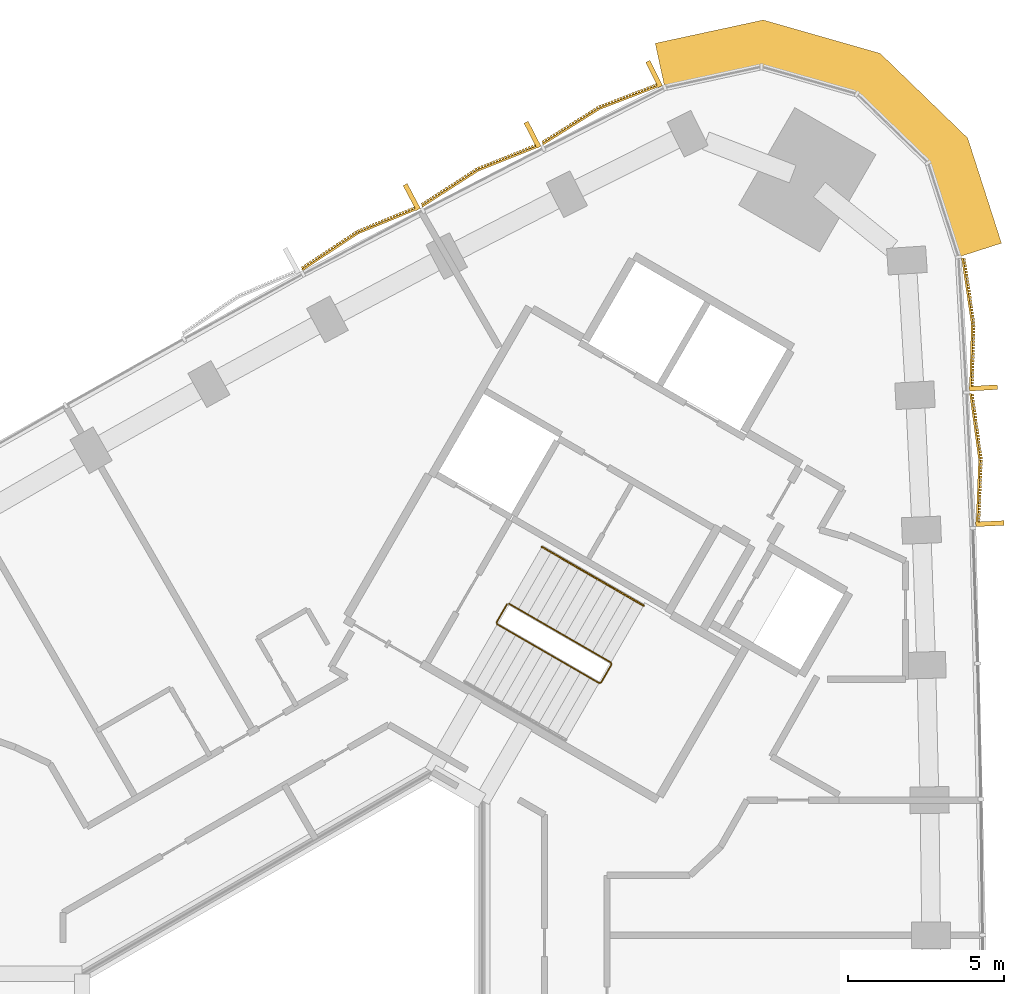
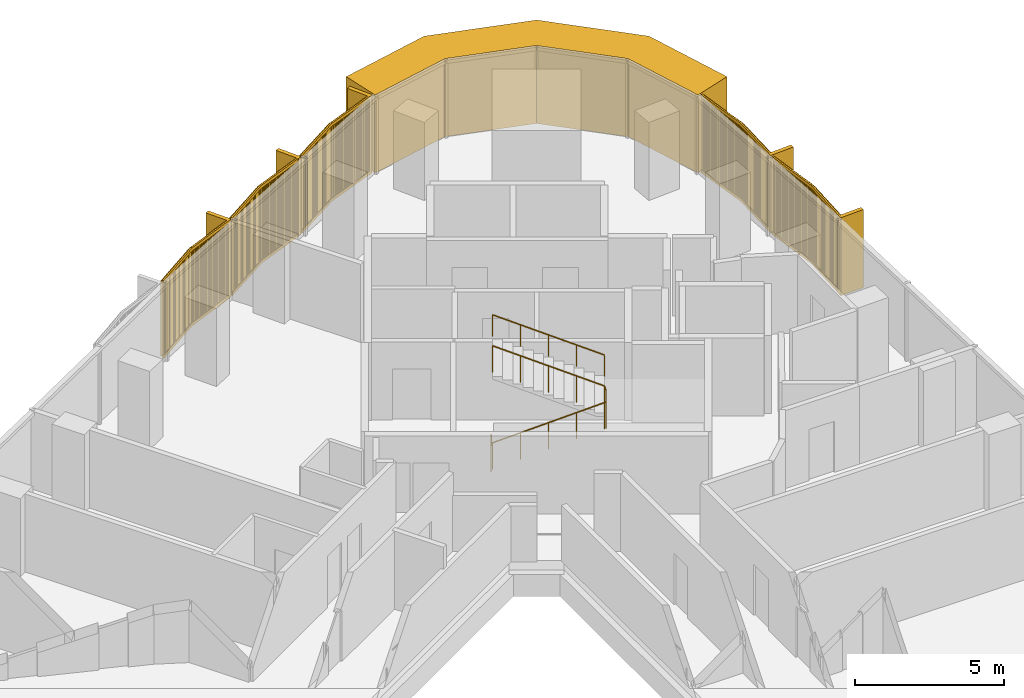
# One storey, part 15 of 15: 6 coverings, 2 railings.
"""IFC4 building model written with IfcOpenShell, lengths in metres."""

from ifc_helpers import new_model, si_unit, direction, frame, frame_2d, origin, origin_2d, place, context, subcontext, project, spatial, polyline, rectangle, circle, outline, extrude, source, transform, mapped, material, layer, layer_set, type_object, element, save


model = new_model("IFC4")

# Units and contexts
model_context = context("Model", 3, precision=1e-05, world=origin(), true_north=direction((0.0, 1.0)))
body_context = subcontext(model_context, "Body", "Model", "MODEL_VIEW")
ifc_project = project(units=[si_unit("LENGTHUNIT", "METRE"), si_unit("AREAUNIT", "SQUARE_METRE"), si_unit("VOLUMEUNIT", "CUBIC_METRE"), si_unit("PLANEANGLEUNIT", "RADIAN"), si_unit("MASSUNIT", "GRAM", prefix="KILO")], contexts=[model_context])

# Site, building, storey
site_placement = place(None, origin())
site = spatial("IfcSite", under=ifc_project, at=site_placement, CompositionType="ELEMENT")
building_placement = place(site_placement, origin())
building = spatial("IfcBuilding", under=site, at=building_placement, Name="Tamra Quay Hotel Tower", CompositionType="ELEMENT")
storey_placement = place(building_placement, frame((0.0, 0.0, 136.0)))
storey = spatial("IfcBuildingStorey", under=building, at=storey_placement, Name="L33", CompositionType="ELEMENT", Elevation=136.0)

# Covering
ifc_material_1 = material(Name="Precast concrete M60 terracotta-coloured", Category="masonry")
ifc_layer = layer(ifc_material_1, 1.449951171875)
ifc_layer_set = layer_set([ifc_layer], Name="CORNER PIER PANEL")
covering_type_1 = type_object("IfcCoveringType", Name="CORNER PIER PANEL", PredefinedType="CLADDING", material=ifc_layer_set)
covering_placement = place(storey_placement, origin())
element("IfcCovering", 1, at=covering_placement, inside=storey, type_object=covering_type_1, Name="Corner pier L33.east", PredefinedType="CLADDING", context=body_context, shape_type="SweptSolid", body=[
    extrude(outline(polyline([(20.0419921875, 23.864990234375), (21.422607421875, 24.30859375), (20.341552734375, 27.6728515625), (17.54150390625, 30.3828125), (13.79443359375, 31.452880859375), (10.340576171875, 30.706787109375), (10.646728515625, 29.28955078125), (13.74560546875, 29.958740234375), (16.794189453125, 29.088134765625), (19.072265625, 26.883544921875), (20.0419921875, 23.864990234375)])), origin(), (0.0, 0.0, 1.0), 3.199951171875),
])

# Railings
ifc_material_2 = material(Name="Stair guard 1100")
railing_type_1 = type_object("IfcRailingType", Name="Stair guard 1100", PredefinedType="GUARDRAIL", material=ifc_material_2)
railing_1_placement = place(storey_placement, frame((5.595458984375, 12.751953125, 0.0)))
element("IfcRailing", 2, at=railing_1_placement, inside=storey, type_object=railing_type_1, Name="GR", PredefinedType="GUARDRAIL", context=body_context, shape_type="SweptSolid", body=[
    extrude(circle(Radius=0.02392578125, at=origin_2d()), frame((0.0, 0.0, 1.076171875), z_axis=(-0.499765215335, -0.866160914346, 0.0), x_axis=(0.866160914346, -0.499765215335, 0.0)), (0.0, 0.0, 1.0), 0.658935546875),
    extrude(circle(Radius=0.02392578125, at=origin_2d()), frame((-0.329345703125, -0.57080078125, 1.076171875), z_axis=(0.110525977783, -0.411156637351, 0.904839338113), x_axis=(0.965715946433, 0.259601060869, 0.0)), (0.0, 0.0, 1.0), 0.165771484375),
    extrude(circle(Radius=0.02392578125, at=origin_2d()), frame((-0.31103515625, -0.638916015625, 1.22607421875), z_axis=(0.79305953016, -0.457922937641, 0.401700342053), x_axis=(0.500040788363, 0.866001853331, 0.0)), (0.0, 0.0, 1.0), 4.10791015625),
    extrude(circle(Radius=0.02392578125, at=origin_2d()), frame((2.94677734375, -2.52001953125, 2.8759765625), z_axis=(0.965948051503, 0.258736085224, 0.0), x_axis=(-0.258736085224, 0.965948051503, 0.0)), (0.0, 0.0, 1.0), 0.07080078125),
    extrude(circle(Radius=0.02392578125, at=origin_2d()), frame((3.01513671875, -2.501708984375, 2.8759765625), z_axis=(0.500043078269, 0.866000531106, 0.0), x_axis=(-0.866000531106, 0.500043078269, 0.0)), (0.0, 0.0, 1.0), 0.6591796875),
    extrude(circle(Radius=0.02392578125, at=origin_2d()), frame((3.3447265625, -1.930908203125, 2.8759765625), z_axis=(-0.110525977783, 0.411156637351, 0.904839338113), x_axis=(-0.965715946433, -0.259601060869, 0.0)), (0.0, 0.0, 1.0), 0.165771484375),
    extrude(circle(Radius=0.02392578125, at=origin_2d()), frame((3.326416015625, -1.86279296875, 3.02587890625), z_axis=(-0.793081581205, 0.457901355053, 0.401681409319), x_axis=(-0.500012686397, -0.866018079166, 0.0)), (0.0, 0.0, 1.0), 4.108154296875),
    extrude(circle(Radius=0.02099609375, at=origin_2d()), origin(), (0.0, 0.0, 1.0), 1.052001953125),
    extrude(circle(Radius=0.02099609375, at=origin_2d()), frame((-0.329345703125, -0.57080078125, 0.0)), (0.0, 0.0, 1.0), 1.052001953125),
    extrude(circle(Radius=0.02099609375, at=origin_2d()), frame((-0.31103515625, -0.638916015625, 0.14990234375)), (0.0, 0.0, 1.0), 1.052001953125),
    extrude(circle(Radius=0.02099609375, at=origin_2d()), frame((0.50341796875, -1.109130859375, 0.5625)), (0.0, 0.0, 1.0), 1.052001953125),
    extrude(circle(Radius=0.02099609375, at=origin_2d()), frame((1.31787109375, -1.57958984375, 0.97509765625)), (0.0, 0.0, 1.0), 1.052001953125),
    extrude(circle(Radius=0.02099609375, at=origin_2d()), frame((2.13232421875, -2.0498046875, 1.387451171875)), (0.0, 0.0, 1.0), 1.052001953125),
    extrude(circle(Radius=0.02099609375, at=origin_2d()), frame((2.94677734375, -2.52001953125, 1.800048828125)), (0.0, 0.0, 1.0), 1.052001953125),
    extrude(circle(Radius=0.02099609375, at=origin_2d()), frame((3.01513671875, -2.501708984375, 1.800048828125)), (0.0, 0.0, 1.0), 1.052001953125),
    extrude(circle(Radius=0.02099609375, at=origin_2d()), frame((3.3447265625, -1.930908203125, 1.800048828125)), (0.0, 0.0, 1.0), 1.052001953125),
    extrude(circle(Radius=0.02099609375, at=origin_2d()), frame((3.326416015625, -1.86279296875, 1.949951171875)), (0.0, 0.0, 1.0), 1.052001953125),
    extrude(circle(Radius=0.02099609375, at=origin_2d()), frame((2.511962890625, -1.392578125, 2.362548828125)), (0.0, 0.0, 1.0), 1.052001953125),
    extrude(circle(Radius=0.02099609375, at=origin_2d()), frame((1.697265625, -0.92236328125, 2.77490234375)), (0.0, 0.0, 1.0), 1.052001953125),
    extrude(circle(Radius=0.02099609375, at=origin_2d()), frame((0.8828125, -0.451904296875, 3.1875)), (0.0, 0.0, 1.0), 1.052001953125),
    extrude(circle(Radius=0.02099609375, at=origin_2d()), frame((0.068359375, 0.018310546875, 3.60009765625)), (0.0, 0.0, 1.0), 1.052001953125),
])
ifc_material_3 = material(Name="Stair handrail 900")
railing_type_2 = type_object("IfcRailingType", Name="Stair handrail 900", PredefinedType="HANDRAIL", material=ifc_material_3)
railing_2_placement = place(storey_placement, frame((9.971923828125, 12.7080078125, 1.949951171875)))
element("IfcRailing", 3, at=railing_2_placement, inside=storey, type_object=railing_type_2, Name="HR", PredefinedType="HANDRAIL", context=body_context, shape_type="SweptSolid", body=[
    extrude(circle(Radius=0.02392578125, at=origin_2d()), frame((0.0, 0.0, 0.8759765625), z_axis=(-0.793103162556, 0.457854384738, 0.401692339881), x_axis=(-0.499964013922, -0.86604617936, 0.0)), (0.0, 0.0, 1.0), 4.10791015625),
    extrude(circle(Radius=0.02099609375, at=origin_2d()), origin(), (0.0, 0.0, 1.0), 0.851806640625),
    extrude(circle(Radius=0.02099609375, at=origin_2d()), frame((-0.814453125, 0.47021484375, 0.41259765625)), (0.0, 0.0, 1.0), 0.851806640625),
    extrude(circle(Radius=0.02099609375, at=origin_2d()), frame((-1.62890625, 0.9404296875, 0.8251953125)), (0.0, 0.0, 1.0), 0.851806640625),
    extrude(circle(Radius=0.02099609375, at=origin_2d()), frame((-2.443603515625, 1.41064453125, 1.237548828125)), (0.0, 0.0, 1.0), 0.851806640625),
    extrude(circle(Radius=0.02099609375, at=origin_2d()), frame((-3.258056640625, 1.880859375, 1.650146484375)), (0.0, 0.0, 1.0), 0.851806640625),
])

# Coverings
ifc_material_4 = material(Name="Terracotta baguette extruded", Category="masonry")
covering_type_2 = type_object("IfcCoveringType", Name="BAGUETTE SCREEN E-V H3200", PredefinedType="USERDEFINED", material=ifc_material_4)
shared_shape_1 = source(origin(), body_context, "Body", "SweptSolid", [
    extrude(rectangle(XDim=2.140625, YDim=0.06005859375, at=frame_2d((1.0703125, 0.030029296875))), frame((-2.1376953125, -0.057861328125, -0.1201171875), z_axis=(0.0, 0.0, 1.0), x_axis=(0.996194698092, -0.087155742748, 0.0)), (0.0, 0.0, 1.0), 0.1201171875),
    extrude(rectangle(XDim=2.140625, YDim=0.06005859375, at=frame_2d((1.0703125, 0.030029296875))), frame((-2.1376953125, -0.057861328125, -3.199951171875), z_axis=(0.0, 0.0, 1.0), x_axis=(0.996194698092, -0.087155742748, 0.0)), (0.0, 0.0, 1.0), 0.1201171875),
    extrude(rectangle(XDim=0.070068359375, YDim=0.10009765625, at=frame_2d((0.03515625, 0.050048828125))), frame((-2.11669921875, -0.13232421875, -3.139892578125)), (0.0, 0.0, 1.0), 3.080078125),
    extrude(rectangle(XDim=0.070068359375, YDim=0.10009765625, at=frame_2d((0.03515625, 0.050048828125))), frame((-2.01513671875, -0.141357421875, -3.139892578125)), (0.0, 0.0, 1.0), 3.080078125),
    extrude(rectangle(XDim=0.070068359375, YDim=0.10009765625, at=frame_2d((0.03515625, 0.050048828125))), frame((-1.91357421875, -0.150146484375, -3.139892578125)), (0.0, 0.0, 1.0), 3.080078125),
    extrude(rectangle(XDim=0.070068359375, YDim=0.10009765625, at=frame_2d((0.03515625, 0.050048828125))), frame((-1.81201171875, -0.1591796875, -3.139892578125)), (0.0, 0.0, 1.0), 3.080078125),
    extrude(rectangle(XDim=0.070068359375, YDim=0.10009765625, at=frame_2d((0.03515625, 0.050048828125))), frame((-1.71044921875, -0.16796875, -3.139892578125)), (0.0, 0.0, 1.0), 3.080078125),
    extrude(rectangle(XDim=0.070068359375, YDim=0.10009765625, at=frame_2d((0.03515625, 0.050048828125))), frame((-1.60888671875, -0.1767578125, -3.139892578125)), (0.0, 0.0, 1.0), 3.080078125),
    extrude(rectangle(XDim=0.070068359375, YDim=0.10009765625, at=frame_2d((0.03515625, 0.050048828125))), frame((-1.50732421875, -0.185791015625, -3.139892578125)), (0.0, 0.0, 1.0), 3.080078125),
    extrude(rectangle(XDim=0.070068359375, YDim=0.10009765625, at=frame_2d((0.03515625, 0.050048828125))), frame((-1.406005859375, -0.194580078125, -3.139892578125)), (0.0, 0.0, 1.0), 3.080078125),
    extrude(rectangle(XDim=0.070068359375, YDim=0.10009765625, at=frame_2d((0.03515625, 0.050048828125))), frame((-1.304443359375, -0.20361328125, -3.139892578125)), (0.0, 0.0, 1.0), 3.080078125),
    extrude(rectangle(XDim=0.070068359375, YDim=0.10009765625, at=frame_2d((0.03515625, 0.050048828125))), frame((-1.202880859375, -0.21240234375, -3.139892578125)), (0.0, 0.0, 1.0), 3.080078125),
    extrude(rectangle(XDim=0.070068359375, YDim=0.10009765625, at=frame_2d((0.03515625, 0.050048828125))), frame((-1.101318359375, -0.22119140625, -3.139892578125)), (0.0, 0.0, 1.0), 3.080078125),
    extrude(rectangle(XDim=0.070068359375, YDim=0.10009765625, at=frame_2d((0.03515625, 0.050048828125))), frame((-0.999755859375, -0.230224609375, -3.139892578125)), (0.0, 0.0, 1.0), 3.080078125),
    extrude(rectangle(XDim=0.070068359375, YDim=0.10009765625, at=frame_2d((0.03515625, 0.050048828125))), frame((-0.898193359375, -0.239013671875, -3.139892578125)), (0.0, 0.0, 1.0), 3.080078125),
    extrude(rectangle(XDim=0.070068359375, YDim=0.10009765625, at=frame_2d((0.03515625, 0.050048828125))), frame((-0.796630859375, -0.248046875, -3.139892578125)), (0.0, 0.0, 1.0), 3.080078125),
    extrude(rectangle(XDim=0.070068359375, YDim=0.10009765625, at=frame_2d((0.03515625, 0.050048828125))), frame((-0.695068359375, -0.2568359375, -3.139892578125)), (0.0, 0.0, 1.0), 3.080078125),
    extrude(rectangle(XDim=0.070068359375, YDim=0.10009765625, at=frame_2d((0.03515625, 0.050048828125))), frame((-0.593505859375, -0.265625, -3.139892578125)), (0.0, 0.0, 1.0), 3.080078125),
    extrude(rectangle(XDim=0.070068359375, YDim=0.10009765625, at=frame_2d((0.03515625, 0.050048828125))), frame((-0.491943359375, -0.274658203125, -3.139892578125)), (0.0, 0.0, 1.0), 3.080078125),
    extrude(rectangle(XDim=0.070068359375, YDim=0.10009765625, at=frame_2d((0.03515625, 0.050048828125))), frame((-0.390380859375, -0.283447265625, -3.139892578125)), (0.0, 0.0, 1.0), 3.080078125),
    extrude(rectangle(XDim=0.070068359375, YDim=0.10009765625, at=frame_2d((0.03515625, 0.050048828125))), frame((-0.288818359375, -0.29248046875, -3.139892578125)), (0.0, 0.0, 1.0), 3.080078125),
    extrude(rectangle(XDim=0.070068359375, YDim=0.10009765625, at=frame_2d((0.03515625, 0.050048828125))), frame((-0.187255859375, -0.30126953125, -3.139892578125)), (0.0, 0.0, 1.0), 3.080078125),
    extrude(rectangle(XDim=0.070068359375, YDim=0.10009765625, at=frame_2d((0.03515625, 0.050048828125))), frame((-0.085693359375, -0.31005859375, -3.139892578125)), (0.0, 0.0, 1.0), 3.080078125),
    extrude(rectangle(XDim=2.140625, YDim=0.06005859375, at=frame_2d((1.0703125, 0.030029296875))), frame((0.005126953125, -0.244384765625, -0.1201171875), z_axis=(0.0, 0.0, 1.0), x_axis=(0.996194698092, 0.087155742748, 0.0)), (0.0, 0.0, 1.0), 0.1201171875),
    extrude(rectangle(XDim=2.140625, YDim=0.06005859375, at=frame_2d((1.0703125, 0.030029296875))), frame((0.005126953125, -0.244384765625, -3.199951171875), z_axis=(0.0, 0.0, 1.0), x_axis=(0.996194698092, 0.087155742748, 0.0)), (0.0, 0.0, 1.0), 0.1201171875),
    extrude(rectangle(XDim=0.070068359375, YDim=0.10009765625, at=frame_2d((0.03515625, 0.050048828125))), frame((0.015869140625, -0.31005859375, -3.139892578125)), (0.0, 0.0, 1.0), 3.080078125),
    extrude(rectangle(XDim=0.070068359375, YDim=0.10009765625, at=frame_2d((0.03515625, 0.050048828125))), frame((0.117431640625, -0.30126953125, -3.139892578125)), (0.0, 0.0, 1.0), 3.080078125),
    extrude(rectangle(XDim=0.070068359375, YDim=0.10009765625, at=frame_2d((0.03515625, 0.050048828125))), frame((0.21875, -0.29248046875, -3.139892578125)), (0.0, 0.0, 1.0), 3.080078125),
    extrude(rectangle(XDim=0.070068359375, YDim=0.10009765625, at=frame_2d((0.03515625, 0.050048828125))), frame((0.3203125, -0.283447265625, -3.139892578125)), (0.0, 0.0, 1.0), 3.080078125),
    extrude(rectangle(XDim=0.070068359375, YDim=0.10009765625, at=frame_2d((0.03515625, 0.050048828125))), frame((0.421875, -0.274658203125, -3.139892578125)), (0.0, 0.0, 1.0), 3.080078125),
    extrude(rectangle(XDim=0.070068359375, YDim=0.10009765625, at=frame_2d((0.03515625, 0.050048828125))), frame((0.5234375, -0.265625, -3.139892578125)), (0.0, 0.0, 1.0), 3.080078125),
    extrude(rectangle(XDim=0.070068359375, YDim=0.10009765625, at=frame_2d((0.03515625, 0.050048828125))), frame((0.625, -0.2568359375, -3.139892578125)), (0.0, 0.0, 1.0), 3.080078125),
    extrude(rectangle(XDim=0.070068359375, YDim=0.10009765625, at=frame_2d((0.03515625, 0.050048828125))), frame((0.7265625, -0.248046875, -3.139892578125)), (0.0, 0.0, 1.0), 3.080078125),
    extrude(rectangle(XDim=0.070068359375, YDim=0.10009765625, at=frame_2d((0.03515625, 0.050048828125))), frame((0.828125, -0.239013671875, -3.139892578125)), (0.0, 0.0, 1.0), 3.080078125),
    extrude(rectangle(XDim=0.070068359375, YDim=0.10009765625, at=frame_2d((0.03515625, 0.050048828125))), frame((0.9296875, -0.230224609375, -3.139892578125)), (0.0, 0.0, 1.0), 3.080078125),
    extrude(rectangle(XDim=0.070068359375, YDim=0.10009765625, at=frame_2d((0.03515625, 0.050048828125))), frame((1.03125, -0.22119140625, -3.139892578125)), (0.0, 0.0, 1.0), 3.080078125),
    extrude(rectangle(XDim=0.070068359375, YDim=0.10009765625, at=frame_2d((0.03515625, 0.050048828125))), frame((1.1328125, -0.21240234375, -3.139892578125)), (0.0, 0.0, 1.0), 3.080078125),
    extrude(rectangle(XDim=0.070068359375, YDim=0.10009765625, at=frame_2d((0.03515625, 0.050048828125))), frame((1.234375, -0.20361328125, -3.139892578125)), (0.0, 0.0, 1.0), 3.080078125),
    extrude(rectangle(XDim=0.070068359375, YDim=0.10009765625, at=frame_2d((0.03515625, 0.050048828125))), frame((1.3359375, -0.194580078125, -3.139892578125)), (0.0, 0.0, 1.0), 3.080078125),
    extrude(rectangle(XDim=0.070068359375, YDim=0.10009765625, at=frame_2d((0.03515625, 0.050048828125))), frame((1.4375, -0.185791015625, -3.139892578125)), (0.0, 0.0, 1.0), 3.080078125),
    extrude(rectangle(XDim=0.070068359375, YDim=0.10009765625, at=frame_2d((0.03515625, 0.050048828125))), frame((1.5390625, -0.1767578125, -3.139892578125)), (0.0, 0.0, 1.0), 3.080078125),
    extrude(rectangle(XDim=0.070068359375, YDim=0.10009765625, at=frame_2d((0.03515625, 0.050048828125))), frame((1.640625, -0.16796875, -3.139892578125)), (0.0, 0.0, 1.0), 3.080078125),
    extrude(rectangle(XDim=0.070068359375, YDim=0.10009765625, at=frame_2d((0.03515625, 0.050048828125))), frame((1.7421875, -0.1591796875, -3.139892578125)), (0.0, 0.0, 1.0), 3.080078125),
    extrude(rectangle(XDim=0.070068359375, YDim=0.10009765625, at=frame_2d((0.03515625, 0.050048828125))), frame((1.84375, -0.150146484375, -3.139892578125)), (0.0, 0.0, 1.0), 3.080078125),
    extrude(rectangle(XDim=0.070068359375, YDim=0.10009765625, at=frame_2d((0.03515625, 0.050048828125))), frame((1.945068359375, -0.141357421875, -3.139892578125)), (0.0, 0.0, 1.0), 3.080078125),
    extrude(rectangle(XDim=0.070068359375, YDim=0.10009765625, at=frame_2d((0.03515625, 0.050048828125))), frame((2.046630859375, -0.13232421875, -3.139892578125)), (0.0, 0.0, 1.0), 3.080078125),
    extrude(rectangle(XDim=0.14990234375, YDim=0.902099609375, at=frame_2d((0.074951171875, 0.451171875))), frame((-2.132568359375, -0.89990234375, -3.199951171875)), (0.0, 0.0, 1.0), 3.199951171875),
])
for number, where, z_axis, x_axis, name in (
    (4, (20.502685546875, 17.366943359375, 3.199951171875), (0.0, 0.0, 1.0), (-0.04774710654, 0.998859456489, 0.0), "Baguette screen L33.E.f09"),
    (5, (20.26953125, 21.70361328125, 3.199951171875), (0.0, 0.0, 1.0), (-0.05964191564, 0.998219836458, 0.0), "Baguette screen L33.E.f10"),
):
    element("IfcCovering", number, at=place(storey_placement, frame(where, z_axis=z_axis, x_axis=x_axis)), inside=storey, type_object=covering_type_2, Name=name, ObjectType="BAGUETTE SCREEN", PredefinedType="USERDEFINED", context=body_context, shape_type="MappedRepresentation", body=[
        mapped(shared_shape_1, transform((0.0, 0.0, 0.0), scale=1.0)),
    ])
covering_type_3 = type_object("IfcCoveringType", Name="BAGUETTE SCREEN NW-V H3200", PredefinedType="USERDEFINED", material=ifc_material_4)
shared_shape_2 = source(origin(), body_context, "Body", "SweptSolid", [
    extrude(rectangle(XDim=2.142333984375, YDim=0.06005859375, at=frame_2d((1.0712890625, 0.030029296875))), frame((-2.13818359375, -0.0576171875, -0.1201171875), z_axis=(0.0, 0.0, 1.0), x_axis=(0.995396198367, -0.09584575252, 0.0)), (0.0, 0.0, 1.0), 0.1201171875),
    extrude(rectangle(XDim=2.142333984375, YDim=0.06005859375, at=frame_2d((1.0712890625, 0.030029296875))), frame((-2.13818359375, -0.0576171875, -3.199951171875), z_axis=(0.0, 0.0, 1.0), x_axis=(0.995396198367, -0.09584575252, 0.0)), (0.0, 0.0, 1.0), 0.1201171875),
    extrude(rectangle(XDim=0.070068359375, YDim=0.10009765625, at=frame_2d((0.03515625, 0.050048828125))), frame((-2.11669921875, -0.1328125, -3.139892578125)), (0.0, 0.0, 1.0), 3.080078125),
    extrude(rectangle(XDim=0.070068359375, YDim=0.10009765625, at=frame_2d((0.03515625, 0.050048828125))), frame((-2.01513671875, -0.142578125, -3.139892578125)), (0.0, 0.0, 1.0), 3.080078125),
    extrude(rectangle(XDim=0.070068359375, YDim=0.10009765625, at=frame_2d((0.03515625, 0.050048828125))), frame((-1.91357421875, -0.15234375, -3.139892578125)), (0.0, 0.0, 1.0), 3.080078125),
    extrude(rectangle(XDim=0.070068359375, YDim=0.10009765625, at=frame_2d((0.03515625, 0.050048828125))), frame((-1.81201171875, -0.162109375, -3.139892578125)), (0.0, 0.0, 1.0), 3.080078125),
    extrude(rectangle(XDim=0.070068359375, YDim=0.10009765625, at=frame_2d((0.03515625, 0.050048828125))), frame((-1.71044921875, -0.172119140625, -3.139892578125)), (0.0, 0.0, 1.0), 3.080078125),
    extrude(rectangle(XDim=0.070068359375, YDim=0.10009765625, at=frame_2d((0.03515625, 0.050048828125))), frame((-1.60888671875, -0.181884765625, -3.139892578125)), (0.0, 0.0, 1.0), 3.080078125),
    extrude(rectangle(XDim=0.070068359375, YDim=0.10009765625, at=frame_2d((0.03515625, 0.050048828125))), frame((-1.50732421875, -0.191650390625, -3.139892578125)), (0.0, 0.0, 1.0), 3.080078125),
    extrude(rectangle(XDim=0.070068359375, YDim=0.10009765625, at=frame_2d((0.03515625, 0.050048828125))), frame((-1.406005859375, -0.201416015625, -3.139892578125)), (0.0, 0.0, 1.0), 3.080078125),
    extrude(rectangle(XDim=0.070068359375, YDim=0.10009765625, at=frame_2d((0.03515625, 0.050048828125))), frame((-1.304443359375, -0.211181640625, -3.139892578125)), (0.0, 0.0, 1.0), 3.080078125),
    extrude(rectangle(XDim=0.070068359375, YDim=0.10009765625, at=frame_2d((0.03515625, 0.050048828125))), frame((-1.202880859375, -0.220947265625, -3.139892578125)), (0.0, 0.0, 1.0), 3.080078125),
    extrude(rectangle(XDim=0.070068359375, YDim=0.10009765625, at=frame_2d((0.03515625, 0.050048828125))), frame((-1.101318359375, -0.230712890625, -3.139892578125)), (0.0, 0.0, 1.0), 3.080078125),
    extrude(rectangle(XDim=0.070068359375, YDim=0.10009765625, at=frame_2d((0.03515625, 0.050048828125))), frame((-0.999755859375, -0.240478515625, -3.139892578125)), (0.0, 0.0, 1.0), 3.080078125),
    extrude(rectangle(XDim=0.070068359375, YDim=0.10009765625, at=frame_2d((0.03515625, 0.050048828125))), frame((-0.898193359375, -0.250244140625, -3.139892578125)), (0.0, 0.0, 1.0), 3.080078125),
    extrude(rectangle(XDim=0.070068359375, YDim=0.10009765625, at=frame_2d((0.03515625, 0.050048828125))), frame((-0.796630859375, -0.260009765625, -3.139892578125)), (0.0, 0.0, 1.0), 3.080078125),
    extrude(rectangle(XDim=0.070068359375, YDim=0.10009765625, at=frame_2d((0.03515625, 0.050048828125))), frame((-0.695068359375, -0.269775390625, -3.139892578125)), (0.0, 0.0, 1.0), 3.080078125),
    extrude(rectangle(XDim=0.070068359375, YDim=0.10009765625, at=frame_2d((0.03515625, 0.050048828125))), frame((-0.593505859375, -0.279541015625, -3.139892578125)), (0.0, 0.0, 1.0), 3.080078125),
    extrude(rectangle(XDim=0.070068359375, YDim=0.10009765625, at=frame_2d((0.03515625, 0.050048828125))), frame((-0.491943359375, -0.289306640625, -3.139892578125)), (0.0, 0.0, 1.0), 3.080078125),
    extrude(rectangle(XDim=0.070068359375, YDim=0.10009765625, at=frame_2d((0.03515625, 0.050048828125))), frame((-0.390380859375, -0.299072265625, -3.139892578125)), (0.0, 0.0, 1.0), 3.080078125),
    extrude(rectangle(XDim=0.070068359375, YDim=0.10009765625, at=frame_2d((0.03515625, 0.050048828125))), frame((-0.288818359375, -0.308837890625, -3.139892578125)), (0.0, 0.0, 1.0), 3.080078125),
    extrude(rectangle(XDim=0.070068359375, YDim=0.10009765625, at=frame_2d((0.03515625, 0.050048828125))), frame((-0.187255859375, -0.318603515625, -3.139892578125)), (0.0, 0.0, 1.0), 3.080078125),
    extrude(rectangle(XDim=0.070068359375, YDim=0.10009765625, at=frame_2d((0.03515625, 0.050048828125))), frame((-0.085693359375, -0.328369140625, -3.139892578125)), (0.0, 0.0, 1.0), 3.080078125),
    extrude(rectangle(XDim=2.142333984375, YDim=0.06005859375, at=frame_2d((1.0712890625, 0.030029296875))), frame((0.005859375, -0.262939453125, -0.1201171875), z_axis=(0.0, 0.0, 1.0), x_axis=(0.995396198367, 0.09584575252, 0.0)), (0.0, 0.0, 1.0), 0.1201171875),
    extrude(rectangle(XDim=2.142333984375, YDim=0.06005859375, at=frame_2d((1.0712890625, 0.030029296875))), frame((0.005859375, -0.262939453125, -3.199951171875), z_axis=(0.0, 0.0, 1.0), x_axis=(0.995396198367, 0.09584575252, 0.0)), (0.0, 0.0, 1.0), 0.1201171875),
    extrude(rectangle(XDim=0.070068359375, YDim=0.10009765625, at=frame_2d((0.03515625, 0.050048828125))), frame((0.015869140625, -0.328369140625, -3.139892578125)), (0.0, 0.0, 1.0), 3.080078125),
    extrude(rectangle(XDim=0.070068359375, YDim=0.10009765625, at=frame_2d((0.03515625, 0.050048828125))), frame((0.117431640625, -0.318603515625, -3.139892578125)), (0.0, 0.0, 1.0), 3.080078125),
    extrude(rectangle(XDim=0.070068359375, YDim=0.10009765625, at=frame_2d((0.03515625, 0.050048828125))), frame((0.21875, -0.308837890625, -3.139892578125)), (0.0, 0.0, 1.0), 3.080078125),
    extrude(rectangle(XDim=0.070068359375, YDim=0.10009765625, at=frame_2d((0.03515625, 0.050048828125))), frame((0.3203125, -0.299072265625, -3.139892578125)), (0.0, 0.0, 1.0), 3.080078125),
    extrude(rectangle(XDim=0.070068359375, YDim=0.10009765625, at=frame_2d((0.03515625, 0.050048828125))), frame((0.421875, -0.289306640625, -3.139892578125)), (0.0, 0.0, 1.0), 3.080078125),
    extrude(rectangle(XDim=0.070068359375, YDim=0.10009765625, at=frame_2d((0.03515625, 0.050048828125))), frame((0.5234375, -0.279541015625, -3.139892578125)), (0.0, 0.0, 1.0), 3.080078125),
    extrude(rectangle(XDim=0.070068359375, YDim=0.10009765625, at=frame_2d((0.03515625, 0.050048828125))), frame((0.625, -0.269775390625, -3.139892578125)), (0.0, 0.0, 1.0), 3.080078125),
    extrude(rectangle(XDim=0.070068359375, YDim=0.10009765625, at=frame_2d((0.03515625, 0.050048828125))), frame((0.7265625, -0.260009765625, -3.139892578125)), (0.0, 0.0, 1.0), 3.080078125),
    extrude(rectangle(XDim=0.070068359375, YDim=0.10009765625, at=frame_2d((0.03515625, 0.050048828125))), frame((0.828125, -0.250244140625, -3.139892578125)), (0.0, 0.0, 1.0), 3.080078125),
    extrude(rectangle(XDim=0.070068359375, YDim=0.10009765625, at=frame_2d((0.03515625, 0.050048828125))), frame((0.9296875, -0.240478515625, -3.139892578125)), (0.0, 0.0, 1.0), 3.080078125),
    extrude(rectangle(XDim=0.070068359375, YDim=0.10009765625, at=frame_2d((0.03515625, 0.050048828125))), frame((1.03125, -0.230712890625, -3.139892578125)), (0.0, 0.0, 1.0), 3.080078125),
    extrude(rectangle(XDim=0.070068359375, YDim=0.10009765625, at=frame_2d((0.03515625, 0.050048828125))), frame((1.1328125, -0.220947265625, -3.139892578125)), (0.0, 0.0, 1.0), 3.080078125),
    extrude(rectangle(XDim=0.070068359375, YDim=0.10009765625, at=frame_2d((0.03515625, 0.050048828125))), frame((1.234375, -0.211181640625, -3.139892578125)), (0.0, 0.0, 1.0), 3.080078125),
    extrude(rectangle(XDim=0.070068359375, YDim=0.10009765625, at=frame_2d((0.03515625, 0.050048828125))), frame((1.3359375, -0.201416015625, -3.139892578125)), (0.0, 0.0, 1.0), 3.080078125),
    extrude(rectangle(XDim=0.070068359375, YDim=0.10009765625, at=frame_2d((0.03515625, 0.050048828125))), frame((1.4375, -0.191650390625, -3.139892578125)), (0.0, 0.0, 1.0), 3.080078125),
    extrude(rectangle(XDim=0.070068359375, YDim=0.10009765625, at=frame_2d((0.03515625, 0.050048828125))), frame((1.5390625, -0.181884765625, -3.139892578125)), (0.0, 0.0, 1.0), 3.080078125),
    extrude(rectangle(XDim=0.070068359375, YDim=0.10009765625, at=frame_2d((0.03515625, 0.050048828125))), frame((1.640625, -0.172119140625, -3.139892578125)), (0.0, 0.0, 1.0), 3.080078125),
    extrude(rectangle(XDim=0.070068359375, YDim=0.10009765625, at=frame_2d((0.03515625, 0.050048828125))), frame((1.7421875, -0.162109375, -3.139892578125)), (0.0, 0.0, 1.0), 3.080078125),
    extrude(rectangle(XDim=0.070068359375, YDim=0.10009765625, at=frame_2d((0.03515625, 0.050048828125))), frame((1.84375, -0.15234375, -3.139892578125)), (0.0, 0.0, 1.0), 3.080078125),
    extrude(rectangle(XDim=0.070068359375, YDim=0.10009765625, at=frame_2d((0.03515625, 0.050048828125))), frame((1.945068359375, -0.142578125, -3.139892578125)), (0.0, 0.0, 1.0), 3.080078125),
    extrude(rectangle(XDim=0.070068359375, YDim=0.10009765625, at=frame_2d((0.03515625, 0.050048828125))), frame((2.046630859375, -0.1328125, -3.139892578125)), (0.0, 0.0, 1.0), 3.080078125),
    extrude(rectangle(XDim=0.14990234375, YDim=0.902099609375, at=frame_2d((0.074951171875, 0.451171875))), frame((-2.132568359375, -0.89990234375, -3.199951171875)), (0.0, 0.0, 1.0), 3.199951171875),
])
for number, where, z_axis, x_axis, name in (
    (6, (8.661376953125, 28.40576171875, 3.199951171875), (0.0, 0.0, 1.0), (-0.894304694754, -0.447458504155, 0.0), "Baguette screen L33.NW.f00"),
    (7, (4.788818359375, 26.439208984375, 3.199951171875), (0.0, 0.0, 1.0), (-0.8889112174, -0.458079521023, 0.0), "Baguette screen L33.NW.f01"),
    (8, (0.940185546875, 24.4267578125, 3.199951171875), (0.0, 0.0, 1.0), (-0.883391332741, -0.468636056272, 0.0), "Baguette screen L33.NW.f02"),
):
    element("IfcCovering", number, at=place(storey_placement, frame(where, z_axis=z_axis, x_axis=x_axis)), inside=storey, type_object=covering_type_3, Name=name, ObjectType="BAGUETTE SCREEN", PredefinedType="USERDEFINED", context=body_context, shape_type="MappedRepresentation", body=[
        mapped(shared_shape_2, transform((0.0, 0.0, 0.0), scale=1.0)),
    ])

save(model, "model.ifc")
